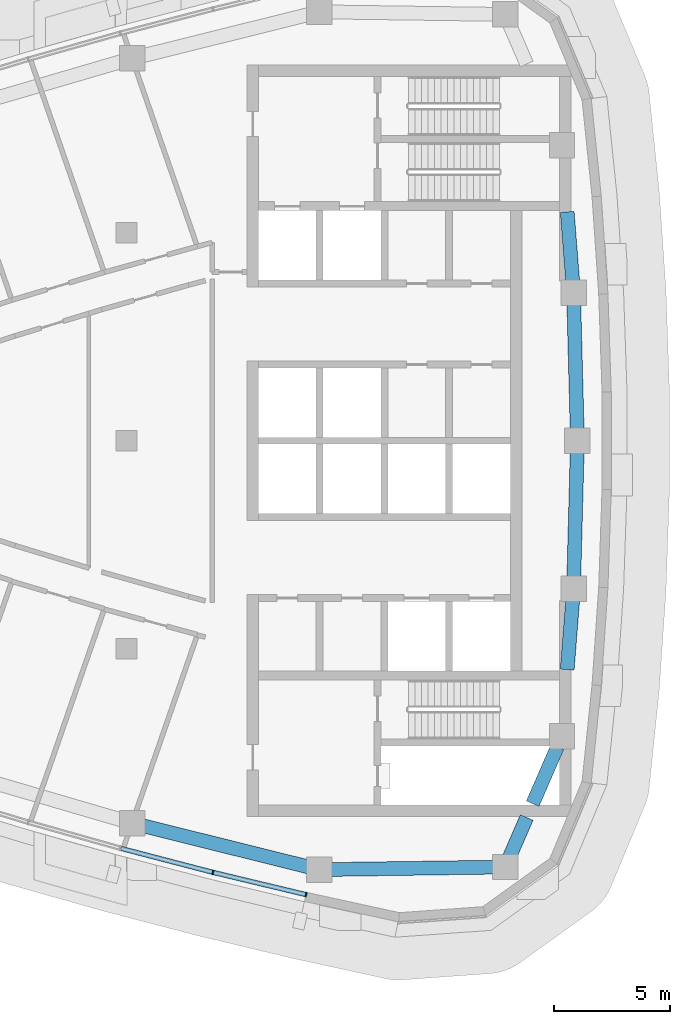
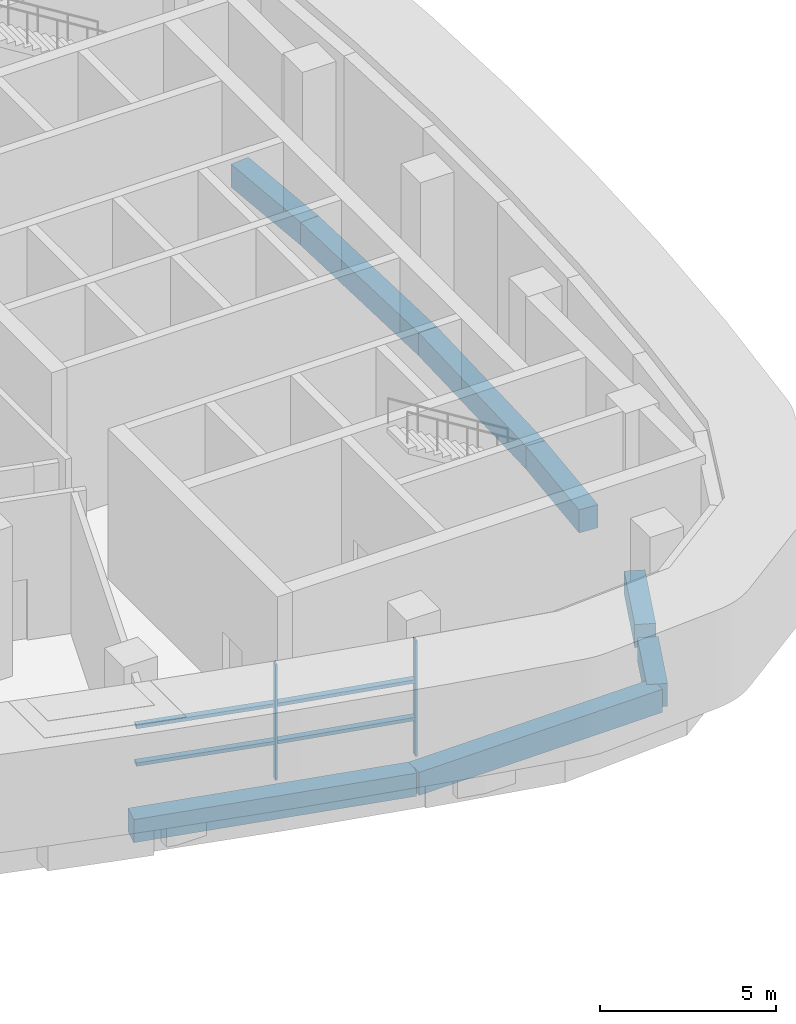
# One storey, part 4 of 14: 8 beams, 6 members, 1 element without a shape of its own.
"""IFC4 building model written with IfcOpenShell, lengths in metres."""

from ifc_helpers import new_model, si_unit, direction, frame, origin, origin_2d, place, context, subcontext, project, spatial, rectangle, extrude, material, layer, layer_set, material_profile, profile_set, type_object, element, aggregate, save


model = new_model("IFC4")

# Units and contexts
model_context = context("Model", 3, precision=1e-05, world=origin(), true_north=direction((0.0, 1.0)))
body_context = subcontext(model_context, "Body", "Model", "MODEL_VIEW")
ifc_project = project(units=[si_unit("LENGTHUNIT", "METRE"), si_unit("AREAUNIT", "SQUARE_METRE"), si_unit("VOLUMEUNIT", "CUBIC_METRE"), si_unit("PLANEANGLEUNIT", "RADIAN"), si_unit("MASSUNIT", "GRAM", prefix="KILO")], contexts=[model_context])

# Site, building, storey
site_placement = place(None, origin())
site = spatial("IfcSite", under=ifc_project, at=site_placement, CompositionType="ELEMENT")
building_placement = place(site_placement, origin())
building = spatial("IfcBuilding", under=site, at=building_placement, Name="Ostrand Prow Hotel Tower", CompositionType="ELEMENT")
storey_placement = place(building_placement, frame((0.0, 0.0, 303.39990234375)))
storey = spatial("IfcBuildingStorey", under=building, at=storey_placement, Name="L77", CompositionType="ELEMENT", Elevation=303.39990234375)

# Beams
ifc_material_1 = material(Name="Concrete C50/60", Category="concrete")
ifc_material_profile_1 = material_profile(ifc_material_1, rectangle(XDim=0.60009765625, YDim=0.800048828125, at=origin_2d()), Name="RC 600x800")
ifc_profile_set_1 = profile_set([ifc_material_profile_1], Name="Concrete C50/60")
beam_type = type_object("IfcBeamType", Name="Edge beam 600x800 C50/60", PredefinedType="SPANDREL", material=ifc_profile_set_1)
beam_1_placement = place(storey_placement, frame((45.234619140625, -16.53857421875, -0.7998046875), z_axis=(0.970456465292, -0.241276291775, 0.0), x_axis=(0.241276291775, 0.970456465292, 0.0)))
element("IfcBeam", 1, at=beam_1_placement, inside=storey, type_object=beam_type, Name="Edge beam S5-S6", PredefinedType="SPANDREL", context=body_context, shape_type="SweptSolid", body=[
    extrude(rectangle(XDim=0.60009765625, YDim=0.800048828125, at=origin_2d()), origin(), (0.0, 0.0, 1.0), 8.348876953125),
])
beam_2_placement = place(storey_placement, frame((53.3369140625, -18.552978515625, -0.7998046875), z_axis=(0.999900689486, 0.014092947356, 0.0), x_axis=(-0.014092947356, 0.999900689486, 0.0)))
element("IfcBeam", 2, at=beam_2_placement, inside=storey, type_object=beam_type, Name="Edge beam S6-SE", PredefinedType="SPANDREL", context=body_context, shape_type="SweptSolid", body=[
    extrude(rectangle(XDim=0.60009765625, YDim=0.800048828125, at=origin_2d()), origin(), (0.0, 0.0, 1.0), 8.0380859375),
])
beam_3_placement = place(storey_placement, frame((61.374267578125, -18.439697265625, -0.7998046875), z_axis=(0.398863844187, 0.91701016014, 0.0), x_axis=(-0.91701016014, 0.398863844187, 0.0)))
element("IfcBeam", 3, at=beam_3_placement, inside=storey, type_object=beam_type, Name="Edge beam SE-B1", PredefinedType="SPANDREL", context=body_context, shape_type="SweptSolid", body=[
    extrude(rectangle(XDim=0.60009765625, YDim=0.800048828125, at=origin_2d()), origin(), (0.0, 0.0, 1.0), 2.333251953125),
])
beam_4_placement = place(storey_placement, frame((62.56591796875, -15.699951171875, -0.7998046875), z_axis=(0.398799624102, 0.917038090712, 0.0), x_axis=(-0.917038090712, 0.398799624102, 0.0)))
element("IfcBeam", 4, at=beam_4_placement, inside=storey, type_object=beam_type, Name="Edge beam SE-B1", PredefinedType="SPANDREL", context=body_context, shape_type="SweptSolid", body=[
    extrude(rectangle(XDim=0.60009765625, YDim=0.800048828125, at=origin_2d()), origin(), (0.0, 0.0, 1.0), 2.671630859375),
])
beam_5_placement = place(storey_placement, frame((64.058349609375, -9.89990234375, -0.7998046875), z_axis=(0.078240080308, 0.996934546414, 0.0), x_axis=(-0.996934546414, 0.078240080308, 0.0)))
element("IfcBeam", 5, at=beam_5_placement, inside=storey, type_object=beam_type, Name="Edge beam B1-B2", PredefinedType="SPANDREL", context=body_context, shape_type="SweptSolid", body=[
    extrude(rectangle(XDim=0.60009765625, YDim=0.800048828125, at=origin_2d()), origin(), (0.0, 0.0, 1.0), 3.50732421875),
])
for number, where, z_axis, x_axis, name in (
    (6, (64.332763671875, -6.4033203125, -0.7998046875), (0.026108223987, 0.999659122221, 0.0), (-0.999659122221, 0.026108223987, 0.0), "Edge beam B2-B3"),
    (7, (64.5, 0.0, -0.7998046875), (-0.026108223987, 0.999659122221, 0.0), (-0.999659122221, -0.026108223987, 0.0), "Edge beam B3-B4"),
):
    element("IfcBeam", number, at=place(storey_placement, frame(where, z_axis=z_axis, x_axis=x_axis)), inside=storey, type_object=beam_type, Name=name, PredefinedType="SPANDREL", context=body_context, shape_type="SweptSolid", body=[
        extrude(rectangle(XDim=0.60009765625, YDim=0.800048828125, at=origin_2d()), origin(), (0.0, 0.0, 1.0), 6.405517578125),
    ])
beam_6_placement = place(storey_placement, frame((64.332763671875, 6.4033203125, -0.7998046875), z_axis=(-0.078240080308, 0.996934546414, 0.0), x_axis=(-0.996934546414, -0.078240080308, 0.0)))
element("IfcBeam", 8, at=beam_6_placement, inside=storey, type_object=beam_type, Name="Edge beam B4-B5", PredefinedType="SPANDREL", context=body_context, shape_type="SweptSolid", body=[
    extrude(rectangle(XDim=0.60009765625, YDim=0.800048828125, at=origin_2d()), origin(), (0.0, 0.0, 1.0), 3.50732421875),
])

# Curtain wall, members
ifc_material_2 = material(Name="Insulated glass in bronze anodised frame", Category="glass")
ifc_layer = layer(ifc_material_2, 0.199951171875)
ifc_layer_set = layer_set([ifc_layer], Name="Insulated glass in bronze anodised frame")
curtain_wall_type = type_object("IfcCurtainWallType", Name="Plant storey louvre wall", PredefinedType="NOTDEFINED", material=ifc_layer_set)
curtain_wall_placement = place(storey_placement, origin())
curtain_wall = element("IfcCurtainWall", 9, at=curtain_wall_placement, inside=storey, type_object=curtain_wall_type, Name="CW7 run CWS5", PredefinedType="NOTDEFINED")
ifc_material_3 = material(Name="Bronze anodised aluminium", Category="aluminium")
ifc_material_profile_2 = material_profile(ifc_material_3, rectangle(XDim=0.199951171875, YDim=0.06005859375, at=origin_2d()), Name="Mullion 60x200 bronze anodised aluminium")
ifc_profile_set_2 = profile_set([ifc_material_profile_2], Name="Bronze anodised aluminium")
member_type_1 = type_object("IfcMemberType", Name="Mullion 60x200 bronze anodised aluminium", PredefinedType="MULLION", material=ifc_profile_set_2)
member_1_placement = place(storey_placement, frame((48.734619140625, -18.6708984375, 0.900146484375), z_axis=(0.0, 0.0, 1.0), x_axis=(0.232746096028, 0.972537533869, 0.0)))
member_1 = element("IfcMember", 10, at=member_1_placement, type_object=member_type_1, Name="CW7 mullion 2", PredefinedType="MULLION", context=body_context, shape_type="SweptSolid", body=[
    extrude(rectangle(XDim=0.199951171875, YDim=0.06005859375, at=origin_2d()), origin(), (0.0, 0.0, 1.0), 4.0),
])
member_2_placement = place(storey_placement, frame((52.7607421875, -19.634521484375, 0.900146484375), z_axis=(0.0, 0.0, 1.0), x_axis=(0.232746096028, 0.972537533869, 0.0)))
member_2 = element("IfcMember", 11, at=member_2_placement, type_object=member_type_1, Name="CW7 mullion 3", PredefinedType="MULLION", context=body_context, shape_type="SweptSolid", body=[
    extrude(rectangle(XDim=0.199951171875, YDim=0.06005859375, at=origin_2d()), origin(), (0.0, 0.0, 1.0), 4.0),
])
ifc_material_4 = material(Name="Bronze anodised aluminium", Category="aluminium")
ifc_material_profile_3 = material_profile(ifc_material_4, rectangle(XDim=0.199951171875, YDim=0.1201171875, at=origin_2d()), Name="Transom 120x200 bronze anodised aluminium")
ifc_profile_set_3 = profile_set([ifc_material_profile_3], Name="Bronze anodised aluminium")
member_type_2 = type_object("IfcMemberType", Name="Transom 120x200 bronze anodised aluminium", PredefinedType="USERDEFINED", material=ifc_profile_set_3)
member_3_placement = place(storey_placement, frame((44.7578125, -17.63427734375, 2.2001953125), z_axis=(0.967664917891, -0.252239185461, 0.0), x_axis=(0.252239185461, 0.967664917891, 0.0)))
member_3 = element("IfcMember", 12, at=member_3_placement, type_object=member_type_2, Name="CW7 transom 1.1", ObjectType="TRANSOM", PredefinedType="USERDEFINED", context=body_context, shape_type="SweptSolid", body=[
    extrude(rectangle(XDim=0.199951171875, YDim=0.1201171875, at=origin_2d()), origin(), (0.0, 0.0, 1.0), 4.07958984375),
])
member_4_placement = place(storey_placement, frame((44.7578125, -17.63427734375, 3.5), z_axis=(0.967664917891, -0.252239185461, 0.0), x_axis=(0.252239185461, 0.967664917891, 0.0)))
member_4 = element("IfcMember", 13, at=member_4_placement, type_object=member_type_2, Name="CW7 transom 1.2", ObjectType="TRANSOM", PredefinedType="USERDEFINED", context=body_context, shape_type="SweptSolid", body=[
    extrude(rectangle(XDim=0.199951171875, YDim=0.1201171875, at=origin_2d()), origin(), (0.0, 0.0, 1.0), 4.07958984375),
])
member_5_placement = place(storey_placement, frame((48.763671875, -18.677978515625, 2.2001953125), z_axis=(0.972542980558, -0.232723335675, 0.0), x_axis=(0.232723335675, 0.972542980558, 0.0)))
member_5 = element("IfcMember", 14, at=member_5_placement, type_object=member_type_2, Name="CW7 transom 2.1", ObjectType="TRANSOM", PredefinedType="USERDEFINED", context=body_context, shape_type="SweptSolid", body=[
    extrude(rectangle(XDim=0.199951171875, YDim=0.1201171875, at=origin_2d()), origin(), (0.0, 0.0, 1.0), 4.079833984375),
])
member_6_placement = place(storey_placement, frame((48.763671875, -18.677978515625, 3.5), z_axis=(0.972542980558, -0.232723335675, 0.0), x_axis=(0.232723335675, 0.972542980558, 0.0)))
member_6 = element("IfcMember", 15, at=member_6_placement, type_object=member_type_2, Name="CW7 transom 2.2", ObjectType="TRANSOM", PredefinedType="USERDEFINED", context=body_context, shape_type="SweptSolid", body=[
    extrude(rectangle(XDim=0.199951171875, YDim=0.1201171875, at=origin_2d()), origin(), (0.0, 0.0, 1.0), 4.079833984375),
])
aggregate(curtain_wall, [member_1, member_2, member_3, member_4, member_5, member_6])

save(model, "model.ifc")
